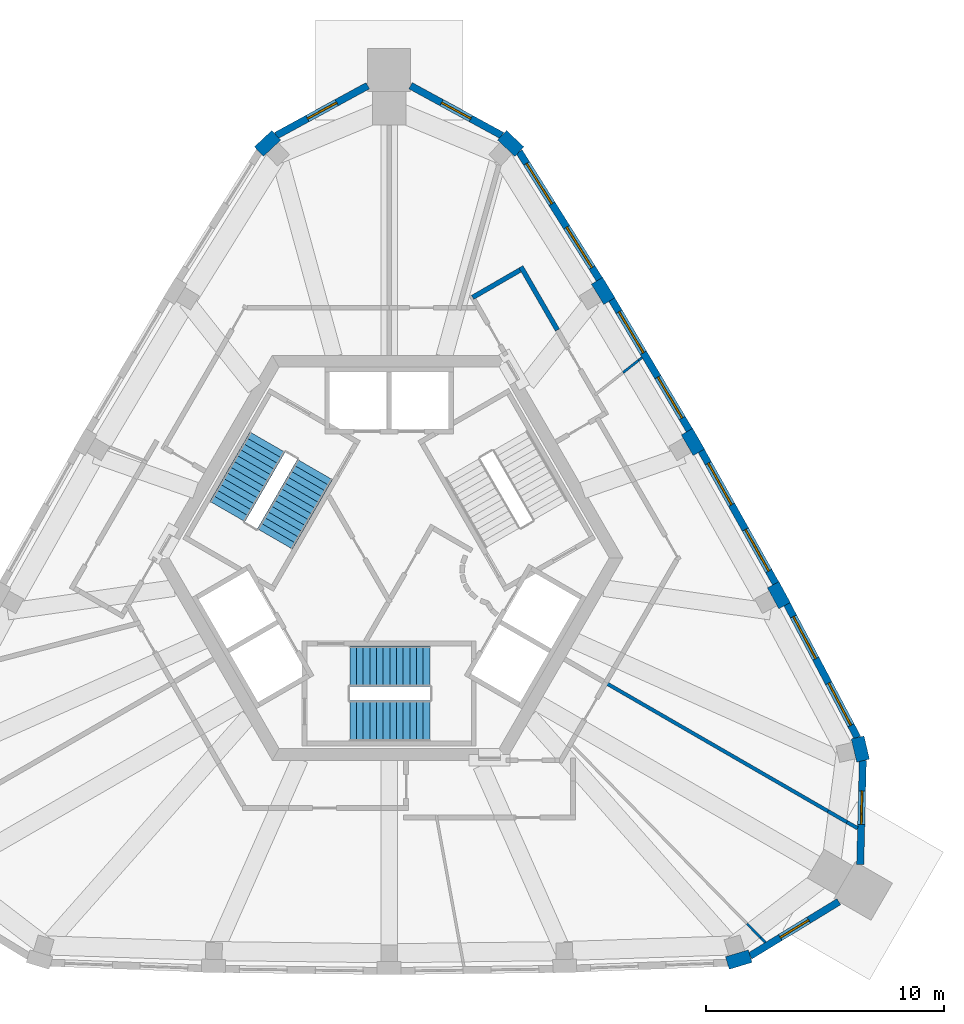
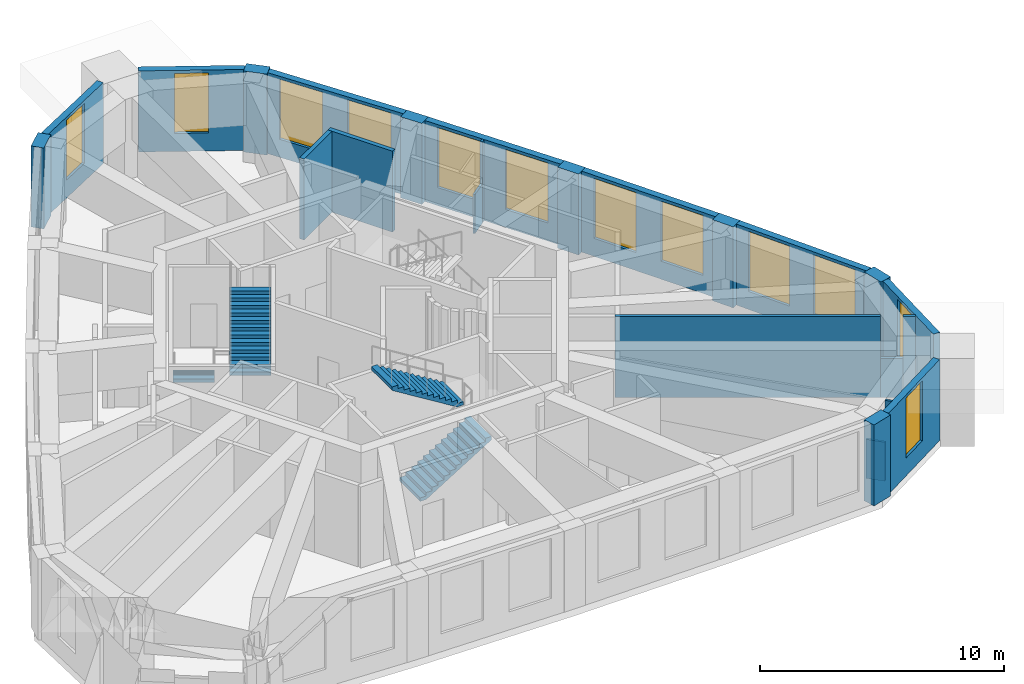
# One storey, part 6 of 8: 24 walls, 12 windows, 4 stair flights, 12 openings, 2 elements without a shape of their own.
"""IFC4 building model written with IfcOpenShell, lengths in metres."""

from ifc_helpers import new_model, si_unit, direction, frame, frame_2d, origin, place, context, subcontext, project, spatial, polyline, rectangle, outline, extrude, material, layer, layer_set, type_object, element, fill, aggregate, save


model = new_model("IFC4")

# Units and contexts
model_context = context("Model", 3, precision=1e-05, world=origin(), true_north=direction((0.0, 1.0)))
body_context = subcontext(model_context, "Body", "Model", "MODEL_VIEW")
ifc_project = project(units=[si_unit("LENGTHUNIT", "METRE"), si_unit("AREAUNIT", "SQUARE_METRE"), si_unit("VOLUMEUNIT", "CUBIC_METRE"), si_unit("PLANEANGLEUNIT", "RADIAN"), si_unit("MASSUNIT", "GRAM", prefix="KILO")], contexts=[model_context])

# Site, building, storey
site_placement = place(None, origin())
site = spatial("IfcSite", under=ifc_project, at=site_placement, CompositionType="ELEMENT")
building_placement = place(site_placement, origin())
building = spatial("IfcBuilding", under=site, at=building_placement, Name="Entoto Arch Interchange Tower", CompositionType="ELEMENT")
storey_placement = place(building_placement, frame((0.0, 0.0, 344.89990234375)))
storey = spatial("IfcBuildingStorey", under=building, at=storey_placement, Name="L81", CompositionType="ELEMENT", Elevation=344.89990234375)

# Walls
ifc_material_1 = material(Name="Gypsum board partition on steel studs", Category="steel")
ifc_layer_1 = layer(ifc_material_1, 0.10009765625)
ifc_layer_set_1 = layer_set([ifc_layer_1], Name="Gypsum board partition on steel studs")
wall_type_1 = type_object("IfcWallType", Name="PARTITION 100", PredefinedType="PARTITIONING", material=ifc_layer_set_1)
wall_1_placement = place(storey_placement, frame((10.616943359375, 10.906005859375, 0.0), z_axis=(0.0, 0.0, 1.0), x_axis=(-0.781848913268, -0.6234679437, 0.0)))
element("IfcWall", 1, at=wall_1_placement, inside=storey, type_object=wall_type_1, Name="wall:L81:p036", PredefinedType="PARTITIONING", context=body_context, shape_type="SweptSolid", body=[
    extrude(rectangle(XDim=0.1943359375, YDim=0.10009765625, at=frame_2d((0.09716796875, 0.0))), origin(), (0.0, 0.0, 1.0), 4.050048828125),
])
wall_2_placement = place(storey_placement, frame((15.01904296875, -12.85595703125, 0.0), z_axis=(0.0, 0.0, 1.0), x_axis=(0.699751841197, -0.714386002622, 0.0)))
element("IfcWall", 2, at=wall_2_placement, inside=storey, type_object=wall_type_1, Name="wall:L81:p024", PredefinedType="PARTITIONING", context=body_context, shape_type="SweptSolid", body=[
    extrude(rectangle(XDim=0.8173828125, YDim=0.10009765625, at=frame_2d((0.40869140625, 0.0))), origin(), (0.0, 0.0, 1.0), 1.9501953125),
])
wall_3_placement = place(storey_placement, frame((15.591064453125, -13.43994140625, 0.0), z_axis=(0.0, 0.0, 1.0), x_axis=(0.698143623014, -0.715957737332, 0.0)))
element("IfcWall", 3, at=wall_3_placement, inside=storey, type_object=wall_type_1, Name="wall:L81:p024", PredefinedType="PARTITIONING", context=body_context, shape_type="SweptSolid", body=[
    extrude(rectangle(XDim=0.287841796875, YDim=0.10009765625, at=frame_2d((0.14404296875, 0.0))), origin(), (0.0, 0.0, 1.0), 4.050048828125),
])
wall_4_placement = place(storey_placement, frame((10.465087890625, 10.784912109375, 0.0), z_axis=(0.0, 0.0, 1.0), x_axis=(-0.784540077819, -0.62007811306, 0.0)))
element("IfcWall", 4, at=wall_4_placement, inside=storey, type_object=wall_type_1, Name="wall:L81:p036", PredefinedType="PARTITIONING", context=body_context, shape_type="SweptSolid", body=[
    extrude(rectangle(XDim=0.82080078125, YDim=0.10009765625, at=frame_2d((0.410400390625, 0.0))), origin(), (0.0, 0.0, 1.0), 1.9501953125),
])
ifc_layer_2 = layer(ifc_material_1, 0.14990234375)
ifc_layer_set_2 = layer_set([ifc_layer_2], Name="Gypsum board partition on steel studs")
wall_type_2 = type_object("IfcWallType", Name="PARTITION 150", PredefinedType="PARTITIONING", material=ifc_layer_set_2)
wall_5_placement = place(storey_placement, frame((19.6640625, -8.85302734375, 0.0), z_axis=(0.0, 0.0, 1.0), x_axis=(-0.866272785837, 0.499571276714, 0.0)))
element("IfcWall", 5, at=wall_5_placement, inside=storey, type_object=wall_type_2, Name="wall:L81:p026", PredefinedType="PARTITIONING", context=body_context, shape_type="SweptSolid", body=[
    extrude(rectangle(XDim=0.5126953125, YDim=0.14990234375, at=frame_2d((0.25634765625, 0.0))), origin(), (0.0, 0.0, 1.0), 4.050048828125),
])
wall_6_placement = place(storey_placement, frame((19.219970703125, -8.596923828125, 0.0), z_axis=(0.0, 0.0, 1.0), x_axis=(-0.866163690229, 0.499760404323, 0.0)))
element("IfcWall", 6, at=wall_6_placement, inside=storey, type_object=wall_type_2, Name="wall:L81:p026", PredefinedType="PARTITIONING", context=body_context, shape_type="SweptSolid", body=[
    extrude(rectangle(XDim=0.92822265625, YDim=0.14990234375, at=frame_2d((0.464111328125, 0.0))), origin(), (0.0, 0.0, 1.0), 1.9501953125),
])
wall_7_placement = place(storey_placement, frame((18.416015625, -8.133056640625, 0.0), z_axis=(0.0, 0.0, 1.0), x_axis=(-0.866013839597, 0.500020029225, 0.0)))
element("IfcWall", 7, at=wall_7_placement, inside=storey, type_object=wall_type_2, Name="wall:L81:p026", PredefinedType="PARTITIONING", context=body_context, shape_type="SweptSolid", body=[
    extrude(rectangle(XDim=10.86572265625, YDim=0.14990234375, at=frame_2d((5.432861328125, 0.0))), origin(), (0.0, 0.0, 1.0), 4.050048828125),
])
ifc_layer_3 = layer(ifc_material_1, 0.199951171875)
ifc_layer_set_3 = layer_set([ifc_layer_3], Name="Gypsum board partition on steel studs")
wall_type_3 = type_object("IfcWallType", Name="PARTITION 200", PredefinedType="PARTITIONING", material=ifc_layer_set_3)
wall_8_placement = place(storey_placement, frame((5.531982421875, 14.717041015625, 0.0), z_axis=(0.0, 0.0, 1.0), x_axis=(0.500119776898, -0.865956239515, 0.0)))
element("IfcWall", 8, at=wall_8_placement, inside=storey, type_object=wall_type_3, Name="wall:L81:p029", PredefinedType="PARTITIONING", context=body_context, shape_type="SweptSolid", body=[
    extrude(rectangle(XDim=3.067138671875, YDim=0.199951171875, at=frame_2d((1.53369140625, 0.0))), origin(), (0.0, 0.0, 1.0), 4.050048828125),
])
wall_9_placement = place(storey_placement, frame((3.50390625, 13.429931640625, 0.0), z_axis=(0.0, 0.0, 1.0), x_axis=(0.865927408828, 0.500169693844, 0.0)))
element("IfcWall", 9, at=wall_9_placement, inside=storey, type_object=wall_type_3, Name="wall:L81:p030", PredefinedType="PARTITIONING", context=body_context, shape_type="SweptSolid", body=[
    extrude(rectangle(XDim=2.299560546875, YDim=0.199951171875, at=frame_2d((1.14990234375, 0.0))), origin(), (0.0, 0.0, 1.0), 4.050048828125),
])

# Wall, opening, window
ifc_material_2 = material(Name="Welded tuff (ignimbrite) cladding, warm buff", Category="masonry")
ifc_layer_4 = layer(ifc_material_2, 0.300048828125)
ifc_layer_set_4 = layer_set([ifc_layer_4], Name="Welded tuff (ignimbrite) cladding, warm buff")
wall_type_4 = type_object("IfcWallType", Name="STONE INFILL WALL 300", PredefinedType="STANDARD", material=ifc_layer_set_4)
wall_10_placement = place(storey_placement, frame((15.152099609375, -14.212890625, 0.0), z_axis=(0.0, 0.0, 1.0), x_axis=(0.853225151066, 0.521542751448, 0.0)))
wall_10 = element("IfcWall", 10, at=wall_10_placement, inside=storey, type_object=wall_type_4, Name="Facade wall SE-01 L81", PredefinedType="STANDARD", context=body_context, shape_type="SweptSolid", body=[
    extrude(rectangle(XDim=4.36572265625, YDim=0.300048828125, at=frame_2d((2.182861328125, 0.0))), origin(), (0.0, 0.0, 1.0), 4.050048828125),
])
opening_1_placement = place(wall_10_placement, frame((1.48291015625, 0.0, 0.89990234375)))
opening_1 = element("IfcOpeningElement", 11, at=opening_1_placement, cuts=wall_10, Name="Opening WK-B", PredefinedType="OPENING", context=body_context, shape_type="SweptSolid", body=[
    extrude(rectangle(XDim=1.39990234375, YDim=3.0, at=frame_2d((0.699951171875, 1.5))), frame((0.0, 0.16015625, 0.0), z_axis=(0.0, -1.0, 0.0), x_axis=(1.0, 0.0, 0.0)), (0.0, 0.0, 1.0), 0.320068359375),
])
ifc_material_3 = material(Name="Clear glass, low-e double glazed", Category="glass")
window_type_1 = type_object("IfcWindowType", Name="WINDOW WK-B 1400x3000", PartitioningType="DOUBLE_PANEL_VERTICAL", PredefinedType="WINDOW", material=ifc_material_3)
window_1_placement = place(opening_1_placement, origin())
window_1 = element("IfcWindow", 12, at=window_1_placement, inside=storey, type_object=window_type_1, Name="Window WK-B SE-01 L81", OverallHeight=3.0, OverallWidth=1.39990234375, PartitioningType="SINGLE_PANEL", PredefinedType="WINDOW", context=body_context, shape_type="SweptSolid", body=[
    extrude(rectangle(XDim=1.39990234375, YDim=3.0, at=frame_2d((0.699951171875, 1.5))), frame((0.0, 0.030029296875, 0.0), z_axis=(0.0, -1.0, 0.0), x_axis=(1.0, 0.0, 0.0)), (0.0, 0.0, 1.0), 0.06005859375),
])
fill(opening_1, window_1)

wall_11_placement = place(storey_placement, frame((19.77587890625, -10.37890625, 0.0), z_axis=(0.0, 0.0, 1.0), x_axis=(0.025006167975, 0.99968729689, 0.0)))
wall_11 = element("IfcWall", 13, at=wall_11_placement, inside=storey, type_object=wall_type_4, Name="Facade wall SE-02 L81", PredefinedType="STANDARD", context=body_context, shape_type="SweptSolid", body=[
    extrude(rectangle(XDim=4.3642578125, YDim=0.300048828125, at=frame_2d((2.18212890625, 0.0))), origin(), (0.0, 0.0, 1.0), 4.050048828125),
])
opening_2_placement = place(wall_11_placement, frame((1.69091796875, 0.0, 0.89990234375)))
opening_2 = element("IfcOpeningElement", 14, at=opening_2_placement, cuts=wall_11, Name="Opening WK-B", PredefinedType="OPENING", context=body_context, shape_type="SweptSolid", body=[
    extrude(rectangle(XDim=1.39990234375, YDim=3.0, at=frame_2d((0.699951171875, 1.5))), frame((0.0, 0.16015625, 0.0), z_axis=(0.0, -1.0, 0.0), x_axis=(1.0, 0.0, 0.0)), (0.0, 0.0, 1.0), 0.320068359375),
])
window_2_placement = place(opening_2_placement, origin())
window_2 = element("IfcWindow", 15, at=window_2_placement, inside=storey, type_object=window_type_1, Name="Window WK-B SE-02 L81", OverallHeight=3.0, OverallWidth=1.39990234375, PartitioningType="SINGLE_PANEL", PredefinedType="WINDOW", context=body_context, shape_type="SweptSolid", body=[
    extrude(rectangle(XDim=1.39990234375, YDim=3.0, at=frame_2d((0.699951171875, 1.5))), frame((0.0, 0.030029296875, 0.0), z_axis=(0.0, -1.0, 0.0), x_axis=(1.0, 0.0, 0.0)), (0.0, 0.0, 1.0), 0.06005859375),
])
fill(opening_2, window_2)

# Wall, openings, windows
wall_12_placement = place(storey_placement, frame((19.656982421875, -5.0439453125, 0.0), z_axis=(0.0, 0.0, 1.0), x_axis=(-0.467155191513, 0.884175337274, 0.0)))
wall_12 = element("IfcWall", 16, at=wall_12_placement, inside=storey, type_object=wall_type_4, Name="Facade wall NE-01 L81", PredefinedType="STANDARD", context=body_context, shape_type="SweptSolid", body=[
    extrude(rectangle(XDim=6.32568359375, YDim=0.300048828125, at=frame_2d((3.162841796875, 0.0))), origin(), (0.0, 0.0, 1.0), 4.050048828125),
])
opening_3_placement = place(wall_12_placement, frame((0.5810546875, 0.0, 0.89990234375)))
opening_3 = element("IfcOpeningElement", 17, at=opening_3_placement, cuts=wall_12, Name="Opening WK-C", PredefinedType="OPENING", context=body_context, shape_type="SweptSolid", body=[
    extrude(rectangle(XDim=2.0, YDim=3.0, at=frame_2d((1.0, 1.5))), frame((0.0, 0.16015625, 0.0), z_axis=(0.0, -1.0, 0.0), x_axis=(1.0, 0.0, 0.0)), (0.0, 0.0, 1.0), 0.320068359375),
])
opening_4_placement = place(wall_12_placement, frame((3.743896484375, 0.0, 0.89990234375)))
opening_4 = element("IfcOpeningElement", 18, at=opening_4_placement, cuts=wall_12, Name="Opening WK-C", PredefinedType="OPENING", context=body_context, shape_type="SweptSolid", body=[
    extrude(rectangle(XDim=2.0, YDim=3.0, at=frame_2d((1.0, 1.5))), frame((0.0, 0.16015625, 0.0), z_axis=(0.0, -1.0, 0.0), x_axis=(1.0, 0.0, 0.0)), (0.0, 0.0, 1.0), 0.320068359375),
])
window_type_2 = type_object("IfcWindowType", Name="WINDOW WK-C 2000x3000", PartitioningType="DOUBLE_PANEL_VERTICAL", PredefinedType="WINDOW", material=ifc_material_3)
window_3_placement = place(opening_3_placement, origin())
window_3 = element("IfcWindow", 19, at=window_3_placement, inside=storey, type_object=window_type_2, Name="Window WK-C NE-01 L81", OverallHeight=3.0, OverallWidth=2.0, PartitioningType="SINGLE_PANEL", PredefinedType="WINDOW", context=body_context, shape_type="SweptSolid", body=[
    extrude(rectangle(XDim=2.0, YDim=3.0, at=frame_2d((1.0, 1.5))), frame((0.0, 0.030029296875, 0.0), z_axis=(0.0, -1.0, 0.0), x_axis=(1.0, 0.0, 0.0)), (0.0, 0.0, 1.0), 0.06005859375),
])
fill(opening_3, window_3)
window_4_placement = place(opening_4_placement, origin())
window_4 = element("IfcWindow", 20, at=window_4_placement, inside=storey, type_object=window_type_2, Name="Window WK-C NE-01 L81", OverallHeight=3.0, OverallWidth=2.0, PartitioningType="SINGLE_PANEL", PredefinedType="WINDOW", context=body_context, shape_type="SweptSolid", body=[
    extrude(rectangle(XDim=2.0, YDim=3.0, at=frame_2d((1.0, 1.5))), frame((0.0, 0.030029296875, 0.0), z_axis=(0.0, -1.0, 0.0), x_axis=(1.0, 0.0, 0.0)), (0.0, 0.0, 1.0), 0.06005859375),
])
fill(opening_4, window_4)

wall_13_placement = place(storey_placement, frame((16.22509765625, 1.426025390625, 0.0), z_axis=(0.0, 0.0, 1.0), x_axis=(-0.489232514948, 0.872153396094, 0.0)))
wall_13 = element("IfcWall", 21, at=wall_13_placement, inside=storey, type_object=wall_type_4, Name="Facade wall NE-02 L81", PredefinedType="STANDARD", context=body_context, shape_type="SweptSolid", body=[
    extrude(rectangle(XDim=6.379638671875, YDim=0.300048828125, at=frame_2d((3.18994140625, 0.0))), origin(), (0.0, 0.0, 1.0), 4.050048828125),
])
opening_5_placement = place(wall_13_placement, frame((0.594970703125, 0.0, 0.89990234375)))
opening_5 = element("IfcOpeningElement", 22, at=opening_5_placement, cuts=wall_13, Name="Opening WK-C", PredefinedType="OPENING", context=body_context, shape_type="SweptSolid", body=[
    extrude(rectangle(XDim=2.0, YDim=3.0, at=frame_2d((1.0, 1.5))), frame((0.0, 0.16015625, 0.0), z_axis=(0.0, -1.0, 0.0), x_axis=(1.0, 0.0, 0.0)), (0.0, 0.0, 1.0), 0.320068359375),
])
opening_6_placement = place(wall_13_placement, frame((3.784912109375, 0.0, 0.89990234375)))
opening_6 = element("IfcOpeningElement", 23, at=opening_6_placement, cuts=wall_13, Name="Opening WK-C", PredefinedType="OPENING", context=body_context, shape_type="SweptSolid", body=[
    extrude(rectangle(XDim=2.0, YDim=3.0, at=frame_2d((1.0, 1.5))), frame((0.0, 0.16015625, 0.0), z_axis=(0.0, -1.0, 0.0), x_axis=(1.0, 0.0, 0.0)), (0.0, 0.0, 1.0), 0.320068359375),
])
window_5_placement = place(opening_5_placement, origin())
window_5 = element("IfcWindow", 24, at=window_5_placement, inside=storey, type_object=window_type_2, Name="Window WK-C NE-02 L81", OverallHeight=3.0, OverallWidth=2.0, PartitioningType="SINGLE_PANEL", PredefinedType="WINDOW", context=body_context, shape_type="SweptSolid", body=[
    extrude(rectangle(XDim=2.0, YDim=3.0, at=frame_2d((1.0, 1.5))), frame((0.0, 0.030029296875, 0.0), z_axis=(0.0, -1.0, 0.0), x_axis=(1.0, 0.0, 0.0)), (0.0, 0.0, 1.0), 0.06005859375),
])
fill(opening_5, window_5)
window_6_placement = place(opening_6_placement, origin())
window_6 = element("IfcWindow", 25, at=window_6_placement, inside=storey, type_object=window_type_2, Name="Window WK-C NE-02 L81", OverallHeight=3.0, OverallWidth=2.0, PartitioningType="SINGLE_PANEL", PredefinedType="WINDOW", context=body_context, shape_type="SweptSolid", body=[
    extrude(rectangle(XDim=2.0, YDim=3.0, at=frame_2d((1.0, 1.5))), frame((0.0, 0.030029296875, 0.0), z_axis=(0.0, -1.0, 0.0), x_axis=(1.0, 0.0, 0.0)), (0.0, 0.0, 1.0), 0.06005859375),
])
fill(opening_6, window_6)

wall_14_placement = place(storey_placement, frame((12.60498046875, 7.85400390625, 0.0), z_axis=(0.0, 0.0, 1.0), x_axis=(-0.510686403068, 0.859767060152, 0.0)))
wall_14 = element("IfcWall", 26, at=wall_14_placement, inside=storey, type_object=wall_type_4, Name="Facade wall NE-03 L81", PredefinedType="STANDARD", context=body_context, shape_type="SweptSolid", body=[
    extrude(rectangle(XDim=6.379638671875, YDim=0.300048828125, at=frame_2d((3.18994140625, 0.0))), origin(), (0.0, 0.0, 1.0), 4.050048828125),
])
opening_7_placement = place(wall_14_placement, frame((0.594970703125, 0.0, 0.89990234375)))
opening_7 = element("IfcOpeningElement", 27, at=opening_7_placement, cuts=wall_14, Name="Opening WK-C", PredefinedType="OPENING", context=body_context, shape_type="SweptSolid", body=[
    extrude(rectangle(XDim=2.0, YDim=3.0, at=frame_2d((1.0, 1.5))), frame((0.0, 0.16015625, 0.0), z_axis=(0.0, -1.0, 0.0), x_axis=(1.0, 0.0, 0.0)), (0.0, 0.0, 1.0), 0.320068359375),
])
opening_8_placement = place(wall_14_placement, frame((3.784912109375, 0.0, 0.89990234375)))
opening_8 = element("IfcOpeningElement", 28, at=opening_8_placement, cuts=wall_14, Name="Opening WK-C", PredefinedType="OPENING", context=body_context, shape_type="SweptSolid", body=[
    extrude(rectangle(XDim=2.0, YDim=3.0, at=frame_2d((1.0, 1.5))), frame((0.0, 0.16015625, 0.0), z_axis=(0.0, -1.0, 0.0), x_axis=(1.0, 0.0, 0.0)), (0.0, 0.0, 1.0), 0.320068359375),
])
window_7_placement = place(opening_7_placement, origin())
window_7 = element("IfcWindow", 29, at=window_7_placement, inside=storey, type_object=window_type_2, Name="Window WK-C NE-03 L81", OverallHeight=3.0, OverallWidth=2.0, PartitioningType="SINGLE_PANEL", PredefinedType="WINDOW", context=body_context, shape_type="SweptSolid", body=[
    extrude(rectangle(XDim=2.0, YDim=3.0, at=frame_2d((1.0, 1.5))), frame((0.0, 0.030029296875, 0.0), z_axis=(0.0, -1.0, 0.0), x_axis=(1.0, 0.0, 0.0)), (0.0, 0.0, 1.0), 0.06005859375),
])
fill(opening_7, window_7)
window_8_placement = place(opening_8_placement, origin())
window_8 = element("IfcWindow", 30, at=window_8_placement, inside=storey, type_object=window_type_2, Name="Window WK-C NE-03 L81", OverallHeight=3.0, OverallWidth=2.0, PartitioningType="SINGLE_PANEL", PredefinedType="WINDOW", context=body_context, shape_type="SweptSolid", body=[
    extrude(rectangle(XDim=2.0, YDim=3.0, at=frame_2d((1.0, 1.5))), frame((0.0, 0.030029296875, 0.0), z_axis=(0.0, -1.0, 0.0), x_axis=(1.0, 0.0, 0.0)), (0.0, 0.0, 1.0), 0.06005859375),
])
fill(opening_8, window_8)

wall_15_placement = place(storey_placement, frame((8.825927734375, 14.18994140625, 0.0), z_axis=(0.0, 0.0, 1.0), x_axis=(-0.532279831475, 0.846568473902, 0.0)))
wall_15 = element("IfcWall", 31, at=wall_15_placement, inside=storey, type_object=wall_type_4, Name="Facade wall NE-04 L81", PredefinedType="STANDARD", context=body_context, shape_type="SweptSolid", body=[
    extrude(rectangle(XDim=6.325439453125, YDim=0.300048828125, at=frame_2d((3.16259765625, 0.0))), origin(), (0.0, 0.0, 1.0), 4.050048828125),
])
opening_9_placement = place(wall_15_placement, frame((0.5810546875, 0.0, 0.89990234375)))
opening_9 = element("IfcOpeningElement", 32, at=opening_9_placement, cuts=wall_15, Name="Opening WK-C", PredefinedType="OPENING", context=body_context, shape_type="SweptSolid", body=[
    extrude(rectangle(XDim=2.0, YDim=3.0, at=frame_2d((1.0, 1.5))), frame((0.0, 0.16015625, 0.0), z_axis=(0.0, -1.0, 0.0), x_axis=(1.0, 0.0, 0.0)), (0.0, 0.0, 1.0), 0.320068359375),
])
opening_10_placement = place(wall_15_placement, frame((3.743896484375, 0.0, 0.89990234375)))
opening_10 = element("IfcOpeningElement", 33, at=opening_10_placement, cuts=wall_15, Name="Opening WK-C", PredefinedType="OPENING", context=body_context, shape_type="SweptSolid", body=[
    extrude(rectangle(XDim=2.0, YDim=3.0, at=frame_2d((1.0, 1.5))), frame((0.0, 0.16015625, 0.0), z_axis=(0.0, -1.0, 0.0), x_axis=(1.0, 0.0, 0.0)), (0.0, 0.0, 1.0), 0.320068359375),
])
window_9_placement = place(opening_9_placement, origin())
window_9 = element("IfcWindow", 34, at=window_9_placement, inside=storey, type_object=window_type_2, Name="Window WK-C NE-04 L81", OverallHeight=3.0, OverallWidth=2.0, PartitioningType="SINGLE_PANEL", PredefinedType="WINDOW", context=body_context, shape_type="SweptSolid", body=[
    extrude(rectangle(XDim=2.0, YDim=3.0, at=frame_2d((1.0, 1.5))), frame((0.0, 0.030029296875, 0.0), z_axis=(0.0, -1.0, 0.0), x_axis=(1.0, 0.0, 0.0)), (0.0, 0.0, 1.0), 0.06005859375),
])
fill(opening_9, window_9)
window_10_placement = place(opening_10_placement, origin())
window_10 = element("IfcWindow", 35, at=window_10_placement, inside=storey, type_object=window_type_2, Name="Window WK-C NE-04 L81", OverallHeight=3.0, OverallWidth=2.0, PartitioningType="SINGLE_PANEL", PredefinedType="WINDOW", context=body_context, shape_type="SweptSolid", body=[
    extrude(rectangle(XDim=2.0, YDim=3.0, at=frame_2d((1.0, 1.5))), frame((0.0, 0.030029296875, 0.0), z_axis=(0.0, -1.0, 0.0), x_axis=(1.0, 0.0, 0.0)), (0.0, 0.0, 1.0), 0.06005859375),
])
fill(opening_10, window_10)

# Wall, opening, window
wall_16_placement = place(storey_placement, frame((4.73193359375, 20.22900390625, 0.0), z_axis=(0.0, 0.0, 1.0), x_axis=(-0.8782630237, 0.478177855197, 0.0)))
wall_16 = element("IfcWall", 36, at=wall_16_placement, inside=storey, type_object=wall_type_4, Name="Facade wall N-01 L81", PredefinedType="STANDARD", context=body_context, shape_type="SweptSolid", body=[
    extrude(rectangle(XDim=4.3642578125, YDim=0.300048828125, at=frame_2d((2.18212890625, 0.0))), origin(), (0.0, 0.0, 1.0), 4.050048828125),
])
opening_11_placement = place(wall_16_placement, frame((1.48193359375, 0.0, 0.89990234375)))
opening_11 = element("IfcOpeningElement", 37, at=opening_11_placement, cuts=wall_16, Name="Opening WK-B", PredefinedType="OPENING", context=body_context, shape_type="SweptSolid", body=[
    extrude(rectangle(XDim=1.39990234375, YDim=3.0, at=frame_2d((0.699951171875, 1.5))), frame((0.0, 0.16015625, 0.0), z_axis=(0.0, -1.0, 0.0), x_axis=(1.0, 0.0, 0.0)), (0.0, 0.0, 1.0), 0.320068359375),
])
window_11_placement = place(opening_11_placement, origin())
window_11 = element("IfcWindow", 38, at=window_11_placement, inside=storey, type_object=window_type_1, Name="Window WK-B N-01 L81", OverallHeight=3.0, OverallWidth=1.39990234375, PartitioningType="SINGLE_PANEL", PredefinedType="WINDOW", context=body_context, shape_type="SweptSolid", body=[
    extrude(rectangle(XDim=1.39990234375, YDim=3.0, at=frame_2d((0.699951171875, 1.5))), frame((0.0, 0.030029296875, 0.0), z_axis=(0.0, -1.0, 0.0), x_axis=(1.0, 0.0, 0.0)), (0.0, 0.0, 1.0), 0.06005859375),
])
fill(opening_11, window_11)

wall_17_placement = place(storey_placement, frame((-0.89892578125, 22.31591796875, 0.0), z_axis=(0.0, 0.0, 1.0), x_axis=(-0.8782630237, -0.478177855197, 0.0)))
wall_17 = element("IfcWall", 39, at=wall_17_placement, inside=storey, type_object=wall_type_4, Name="Facade wall N-02 L81", PredefinedType="STANDARD", context=body_context, shape_type="SweptSolid", body=[
    extrude(rectangle(XDim=4.3642578125, YDim=0.300048828125, at=frame_2d((2.18212890625, 0.0))), origin(), (0.0, 0.0, 1.0), 4.050048828125),
])
opening_12_placement = place(wall_17_placement, frame((1.48193359375, 0.0, 0.89990234375)))
opening_12 = element("IfcOpeningElement", 40, at=opening_12_placement, cuts=wall_17, Name="Opening WK-B", PredefinedType="OPENING", context=body_context, shape_type="SweptSolid", body=[
    extrude(rectangle(XDim=1.39990234375, YDim=3.0, at=frame_2d((0.699951171875, 1.5))), frame((0.0, 0.16015625, 0.0), z_axis=(0.0, -1.0, 0.0), x_axis=(1.0, 0.0, 0.0)), (0.0, 0.0, 1.0), 0.320068359375),
])
window_12_placement = place(opening_12_placement, origin())
window_12 = element("IfcWindow", 41, at=window_12_placement, inside=storey, type_object=window_type_1, Name="Window WK-B N-02 L81", OverallHeight=3.0, OverallWidth=1.39990234375, PartitioningType="SINGLE_PANEL", PredefinedType="WINDOW", context=body_context, shape_type="SweptSolid", body=[
    extrude(rectangle(XDim=1.39990234375, YDim=3.0, at=frame_2d((0.699951171875, 1.5))), frame((0.0, 0.030029296875, 0.0), z_axis=(0.0, -1.0, 0.0), x_axis=(1.0, 0.0, 0.0)), (0.0, 0.0, 1.0), 0.06005859375),
])
fill(opening_12, window_12)

# Walls
ifc_layer_5 = layer(ifc_material_2, 0.550048828125)
ifc_layer_set_5 = layer_set([ifc_layer_5], Name="Welded tuff (ignimbrite) cladding, warm buff")
wall_type_5 = type_object("IfcWallType", Name="STONE PIER CLADDING 550", PredefinedType="STANDARD", material=ifc_layer_set_5)
wall_18_placement = place(storey_placement, frame((19.89501953125, -6.014892578125, 0.0), z_axis=(0.0, 0.0, 1.0), x_axis=(-0.227978015861, 0.97366627973, 0.0)))
element("IfcWall", 42, at=wall_18_placement, inside=storey, type_object=wall_type_5, Name="Stone pier NE01 L81", PredefinedType="STANDARD", context=body_context, shape_type="SweptSolid", body=[
    extrude(rectangle(XDim=1.000244140625, YDim=0.550048828125, at=frame_2d((0.5, 0.0))), origin(), (0.0, 0.0, 1.0), 4.050048828125),
])
wall_19_placement = place(storey_placement, frame((16.59912109375, 0.490966796875, 0.0), z_axis=(0.0, 0.0, 1.0), x_axis=(-0.478442030542, 0.878119139645, 0.0)))
element("IfcWall", 43, at=wall_19_placement, inside=storey, type_object=wall_type_5, Name="Stone pier NE02 L81", PredefinedType="STANDARD", context=body_context, shape_type="SweptSolid", body=[
    extrude(rectangle(XDim=1.001220703125, YDim=0.550048828125, at=frame_2d((0.50048828125, 0.0))), origin(), (0.0, 0.0, 1.0), 4.050048828125),
])
wall_20_placement = place(storey_placement, frame((13.001953125, 6.928955078125, 0.0), z_axis=(0.0, 0.0, 1.0), x_axis=(-0.49960277677, 0.866254619292, 0.0)))
element("IfcWall", 44, at=wall_20_placement, inside=storey, type_object=wall_type_5, Name="Stone pier NE03 L81", PredefinedType="STANDARD", context=body_context, shape_type="SweptSolid", body=[
    extrude(rectangle(XDim=1.000732421875, YDim=0.550048828125, at=frame_2d((0.50048828125, 0.0))), origin(), (0.0, 0.0, 1.0), 4.050048828125),
])
wall_21_placement = place(storey_placement, frame((9.24609375, 13.27587890625, 0.0), z_axis=(0.0, 0.0, 1.0), x_axis=(-0.521232636172, 0.853414634857, 0.0)))
element("IfcWall", 45, at=wall_21_placement, inside=storey, type_object=wall_type_5, Name="Stone pier NE04 L81", PredefinedType="STANDARD", context=body_context, shape_type="SweptSolid", body=[
    extrude(rectangle(XDim=0.99951171875, YDim=0.550048828125, at=frame_2d((0.499755859375, 0.0))), origin(), (0.0, 0.0, 1.0), 4.050048828125),
])
for number, where, z_axis, x_axis, name in (
    (46, (5.467041015625, 19.552001953125, 0.0), (0.0, 0.0, 1.0), (-0.728729965402, 0.684801166416, 0.0), "Stone pier NE05 L81"),
    (47, (-4.738037109375, 20.237060546875, 0.0), (0.0, 0.0, 1.0), (-0.728729965402, -0.684801166416, 0.0), "Stone pier NW01 L81"),
):
    element("IfcWall", number, at=place(storey_placement, frame(where, z_axis=z_axis, x_axis=x_axis)), inside=storey, type_object=wall_type_5, Name=name, PredefinedType="STANDARD", context=body_context, shape_type="SweptSolid", body=[
        extrude(rectangle(XDim=1.00048828125, YDim=0.550048828125, at=frame_2d((0.500244140625, 0.0))), origin(), (0.0, 0.0, 1.0), 4.050048828125),
    ])
wall_22_placement = place(storey_placement, frame((14.198974609375, -14.510986328125, 0.0), z_axis=(0.0, 0.0, 1.0), x_axis=(0.957286907321, 0.289139718946, 0.0)))
element("IfcWall", 48, at=wall_22_placement, inside=storey, type_object=wall_type_5, Name="Stone pier S05 L81", PredefinedType="STANDARD", context=body_context, shape_type="SweptSolid", body=[
    extrude(rectangle(XDim=0.999755859375, YDim=0.550048828125, at=frame_2d((0.5, 0.0))), origin(), (0.0, 0.0, 1.0), 4.050048828125),
])

# Stair, stair flights
ifc_material_4 = material(Name="Concrete C40/50", Category="concrete")
stair_type = type_object("IfcStairType", Name="EXIT STAIR RC 1700", PredefinedType="HALF_TURN_STAIR", material=ifc_material_4)
stair_1_placement = place(storey_placement, origin())
stair_1 = element("IfcStair", 49, at=stair_1_placement, inside=storey, type_object=stair_type, Name="L81 Exit stair S", PredefinedType="HALF_TURN_STAIR")
stair_flight_type = type_object("IfcStairFlightType", Name="EXIT STAIR FLIGHT RC 1700", PredefinedType="STRAIGHT", material=ifc_material_4)
stair_flight_1_placement = place(storey_placement, frame((-1.64990234375, -4.35009765625, 0.0), z_axis=(0.0, 0.0, 1.0), x_axis=(1.0, 0.0, 0.0)))
stair_flight_1 = element("IfcStairFlight", 50, at=stair_flight_1_placement, type_object=stair_flight_type, Name="ST-S flight 1", NumberOfRisers=13, NumberOfTreads=12, PredefinedType="STRAIGHT", RiserHeight=0.173076923, TreadLength=0.28, context=body_context, shape_type="SweptSolid", body=[
    extrude(outline(polyline([(-0.0029296875, 0.0), (-0.0029296875, 0.173095703125), (0.280029296875, 0.173095703125), (0.280029296875, 0.34619140625), (0.56005859375, 0.34619140625), (0.56005859375, 0.519287109375), (0.840087890625, 0.519287109375), (0.840087890625, 0.6923828125), (1.1201171875, 0.6923828125), (1.1201171875, 0.865478515625), (1.39990234375, 0.865478515625), (1.39990234375, 1.03857421875), (1.679931640625, 1.03857421875), (1.679931640625, 1.21142578125), (1.9599609375, 1.21142578125), (1.9599609375, 1.384521484375), (2.239990234375, 1.384521484375), (2.239990234375, 1.5576171875), (2.52001953125, 1.5576171875), (2.52001953125, 1.730712890625), (2.800048828125, 1.730712890625), (2.800048828125, 1.90380859375), (3.080078125, 1.90380859375), (3.080078125, 2.076904296875), (3.360107421875, 2.076904296875), (3.363037109375, 2.076904296875), (3.363037109375, 1.902587890625), (0.28515625, 0.0), (-0.0029296875, 0.0)])), frame((0.0, 0.85009765625, 0.0), z_axis=(0.0, -1.0, 0.0), x_axis=(1.0, 0.0, 0.0)), (0.0, 0.0, 1.0), 1.699951171875),
])
stair_flight_2_placement = place(storey_placement, frame((1.7099609375, -2.050048828125, 2.25), z_axis=(0.0, 0.0, 1.0), x_axis=(-1.0, 0.0, 0.0)))
stair_flight_2 = element("IfcStairFlight", 51, at=stair_flight_2_placement, type_object=stair_flight_type, Name="ST-S flight 2", NumberOfRisers=13, NumberOfTreads=12, PredefinedType="STRAIGHT", RiserHeight=0.173076923, TreadLength=0.28, context=body_context, shape_type="SweptSolid", body=[
    extrude(outline(polyline([(-0.0029296875, 0.0), (-0.0029296875, 0.173095703125), (0.280029296875, 0.173095703125), (0.280029296875, 0.34619140625), (0.56005859375, 0.34619140625), (0.56005859375, 0.519287109375), (0.840087890625, 0.519287109375), (0.840087890625, 0.6923828125), (1.1201171875, 0.6923828125), (1.1201171875, 0.865478515625), (1.39990234375, 0.865478515625), (1.39990234375, 1.03857421875), (1.679931640625, 1.03857421875), (1.679931640625, 1.21142578125), (1.9599609375, 1.21142578125), (1.9599609375, 1.384521484375), (2.239990234375, 1.384521484375), (2.239990234375, 1.5576171875), (2.52001953125, 1.5576171875), (2.52001953125, 1.730712890625), (2.800048828125, 1.730712890625), (2.800048828125, 1.90380859375), (3.080078125, 1.90380859375), (3.080078125, 2.076904296875), (3.360107421875, 2.076904296875), (3.363037109375, 2.076904296875), (3.363037109375, 1.902587890625), (0.28515625, 0.0), (-0.0029296875, 0.0)])), frame((0.0, 0.85009765625, 0.0), z_axis=(0.0, -1.0, 0.0), x_axis=(1.0, 0.0, 0.0)), (0.0, 0.0, 1.0), 1.699951171875),
])
aggregate(stair_1, [stair_flight_1, stair_flight_2])

stair_2_placement = place(storey_placement, origin())
stair_2 = element("IfcStair", 52, at=stair_2_placement, inside=storey, type_object=stair_type, Name="L81 Exit stair NW", PredefinedType="HALF_TURN_STAIR")
stair_flight_3_placement = place(storey_placement, frame((-5.107177734375, 7.35400390625, 0.0), z_axis=(0.0, 0.0, 1.0), x_axis=(-0.5, -0.866025403784, 0.0)))
stair_flight_3 = element("IfcStairFlight", 53, at=stair_flight_3_placement, type_object=stair_flight_type, Name="ST-NW flight 1", NumberOfRisers=13, NumberOfTreads=12, PredefinedType="STRAIGHT", RiserHeight=0.173076923, TreadLength=0.28, context=body_context, shape_type="SweptSolid", body=[
    extrude(outline(polyline([(-0.0029296875, 0.0), (-0.0029296875, 0.173095703125), (0.280029296875, 0.173095703125), (0.280029296875, 0.34619140625), (0.56005859375, 0.34619140625), (0.56005859375, 0.519287109375), (0.840087890625, 0.519287109375), (0.840087890625, 0.6923828125), (1.1201171875, 0.6923828125), (1.1201171875, 0.865478515625), (1.39990234375, 0.865478515625), (1.39990234375, 1.03857421875), (1.679931640625, 1.03857421875), (1.679931640625, 1.21142578125), (1.9599609375, 1.21142578125), (1.9599609375, 1.384521484375), (2.239990234375, 1.384521484375), (2.239990234375, 1.5576171875), (2.52001953125, 1.5576171875), (2.52001953125, 1.730712890625), (2.800048828125, 1.730712890625), (2.800048828125, 1.90380859375), (3.080078125, 1.90380859375), (3.080078125, 2.076904296875), (3.360107421875, 2.076904296875), (3.363037109375, 2.076904296875), (3.363037109375, 1.902587890625), (0.28515625, 0.0), (-0.0029296875, 0.0)])), frame((0.0, 0.85009765625, 0.0), z_axis=(0.0, -1.0, 0.0), x_axis=(1.0, 0.0, 0.0)), (0.0, 0.0, 1.0), 1.699951171875),
])
stair_flight_4_placement = place(storey_placement, frame((-4.79541015625, 3.294189453125, 2.25), z_axis=(0.0, 0.0, 1.0), x_axis=(0.5, 0.866025403784, 0.0)))
stair_flight_4 = element("IfcStairFlight", 54, at=stair_flight_4_placement, type_object=stair_flight_type, Name="ST-NW flight 2", NumberOfRisers=13, NumberOfTreads=12, PredefinedType="STRAIGHT", RiserHeight=0.173076923, TreadLength=0.28, context=body_context, shape_type="SweptSolid", body=[
    extrude(outline(polyline([(-0.0029296875, 0.0), (-0.0029296875, 0.173095703125), (0.280029296875, 0.173095703125), (0.280029296875, 0.34619140625), (0.56005859375, 0.34619140625), (0.56005859375, 0.519287109375), (0.840087890625, 0.519287109375), (0.840087890625, 0.6923828125), (1.1201171875, 0.6923828125), (1.1201171875, 0.865478515625), (1.39990234375, 0.865478515625), (1.39990234375, 1.03857421875), (1.679931640625, 1.03857421875), (1.679931640625, 1.21142578125), (1.9599609375, 1.21142578125), (1.9599609375, 1.384521484375), (2.239990234375, 1.384521484375), (2.239990234375, 1.5576171875), (2.52001953125, 1.5576171875), (2.52001953125, 1.730712890625), (2.800048828125, 1.730712890625), (2.800048828125, 1.90380859375), (3.080078125, 1.90380859375), (3.080078125, 2.076904296875), (3.360107421875, 2.076904296875), (3.363037109375, 2.076904296875), (3.363037109375, 1.902587890625), (0.28515625, 0.0), (-0.0029296875, 0.0)])), frame((0.0, 0.85009765625, 0.0), z_axis=(0.0, -1.0, 0.0), x_axis=(1.0, 0.0, 0.0)), (0.0, 0.0, 1.0), 1.699951171875),
])
aggregate(stair_2, [stair_flight_3, stair_flight_4])

save(model, "model.ifc")
